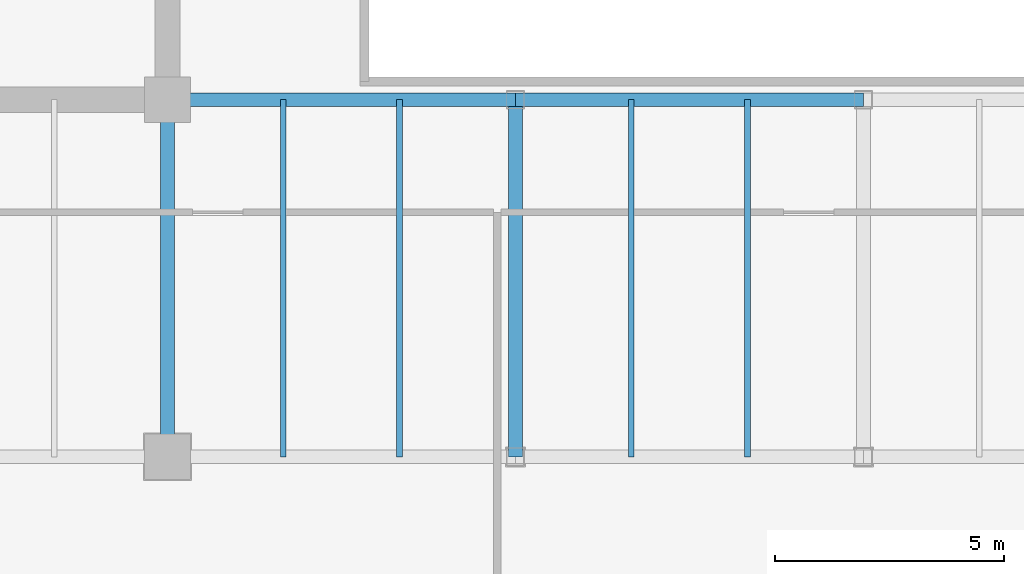
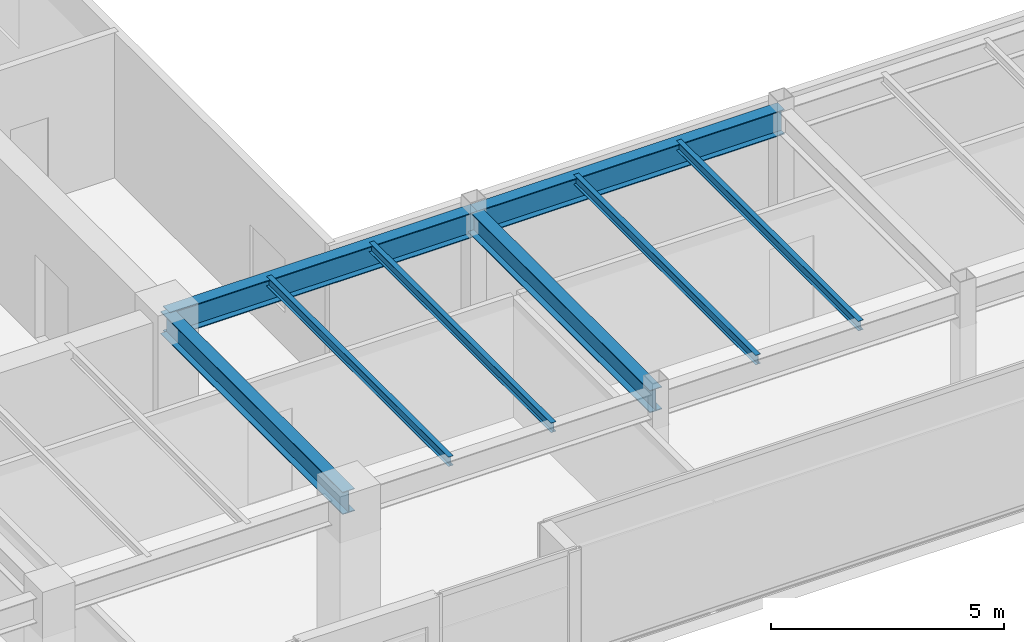
# One storey, part 7 of 35: 8 beams.
"""IFC4 building model written with IfcOpenShell, lengths in metres."""

from ifc_helpers import new_model, si_unit, direction, frame, origin, origin_2d, place, context, subcontext, project, spatial, i_section, extrude, source, transform, mapped, material, material_profile, profile_set, type_object, type_shapes, element, save


model = new_model("IFC4")

# Units and contexts
model_context = context("Model", 3, precision=1e-05, world=origin(), true_north=direction((0.0, 1.0)))
body_context = subcontext(model_context, "Body", "Model", "MODEL_VIEW")
ifc_project = project(units=[si_unit("LENGTHUNIT", "METRE"), si_unit("AREAUNIT", "SQUARE_METRE"), si_unit("VOLUMEUNIT", "CUBIC_METRE"), si_unit("PLANEANGLEUNIT", "RADIAN"), si_unit("MASSUNIT", "GRAM", prefix="KILO")], contexts=[model_context])

# Site, building, storey
site_placement = place(None, origin())
site = spatial("IfcSite", under=ifc_project, at=site_placement, CompositionType="ELEMENT")
building_placement = place(site_placement, origin())
building = spatial("IfcBuilding", under=site, at=building_placement, Name="Haelvirn Gate Laboratories", CompositionType="ELEMENT")
storey_placement = place(building_placement, frame((0.0, 0.0, 283.39990234375)))
storey = spatial("IfcBuildingStorey", under=building, at=storey_placement, Name="L68", CompositionType="ELEMENT", Elevation=283.39990234375)

# Beams
ifc_material = material(Name="Steel SM355", Category="steel")
ifc_material_profile_1 = material_profile(ifc_material, i_section(OverallWidth=0.300048828125, OverallDepth=0.587890625, WebThickness=0.011962890625, FlangeThickness=0.02001953125, at=origin_2d()), Name="H-588x300x12x20")
ifc_profile_set_1 = profile_set([ifc_material_profile_1], Name="Steel SM355")
beam_type_1 = type_object("IfcBeamType", Name="BM-G-588", PredefinedType="BEAM", material=ifc_profile_set_1)
shared_shape_1 = source(origin(), body_context, "Body", "SweptSolid", [
    extrude(i_section(OverallWidth=0.300048828125, OverallDepth=0.587890625, WebThickness=0.011962890625, FlangeThickness=0.02001953125, at=origin_2d()), origin(), (0.0, 0.0, 1.0), 7.800048828125),
])
type_shapes(beam_type_1, [shared_shape_1])
for number, where, z_axis, x_axis, name in (
    (1, (22.199951171875, 7.0, 3.506103515625), (0.0, 1.0, 0.0), (-1.0, 0.0, 0.0), "L68 Frame Girder X22.2 (7.0-14.8)"),
    (2, (29.800048828125, 7.0, 3.506103515625), (0.0, 1.0, 0.0), (-1.0, 0.0, 0.0), "L68 Frame Girder X29.8 (7.0-14.8)"),
):
    element("IfcBeam", number, at=place(storey_placement, frame(where, z_axis=z_axis, x_axis=x_axis)), inside=storey, type_object=beam_type_1, Name=name, PredefinedType="BEAM", context=body_context, shape_type="MappedRepresentation", body=[
        mapped(shared_shape_1, transform((0.0, 0.0, 0.0), scale=1.0)),
    ])
ifc_material_profile_2 = material_profile(ifc_material, i_section(OverallWidth=0.300048828125, OverallDepth=0.64990234375, WebThickness=0.012939453125, FlangeThickness=0.02197265625, at=origin_2d()), Name="H-650x300x13x22")
ifc_profile_set_2 = profile_set([ifc_material_profile_2], Name="Steel SM355")
beam_type_2 = type_object("IfcBeamType", Name="BM-G-650", PredefinedType="BEAM", material=ifc_profile_set_2)
shared_shape_2 = source(origin(), body_context, "Body", "SweptSolid", [
    extrude(i_section(OverallWidth=0.300048828125, OverallDepth=0.64990234375, WebThickness=0.012939453125, FlangeThickness=0.02197265625, at=origin_2d()), origin(), (0.0, 0.0, 1.0), 7.60009765625),
])
beam_1_placement = place(storey_placement, frame((22.199951171875, 14.800048828125, 3.47509765625), z_axis=(1.0, 0.0, 0.0), x_axis=(0.0, 1.0, 0.0)))
element("IfcBeam", 3, at=beam_1_placement, inside=storey, type_object=beam_type_2, Name="L68 Primary Girder Y14.8 (22.2-29.8)", PredefinedType="BEAM", context=body_context, shape_type="MappedRepresentation", body=[
    mapped(shared_shape_2, transform((0.0, 0.0, 0.0), scale=1.0)),
])
shared_shape_3 = source(origin(), body_context, "Body", "SweptSolid", [
    extrude(i_section(OverallWidth=0.300048828125, OverallDepth=0.64990234375, WebThickness=0.012939453125, FlangeThickness=0.02197265625, at=origin_2d()), origin(), (0.0, 0.0, 1.0), 7.599853515625),
])
type_shapes(beam_type_2, [shared_shape_2, shared_shape_3])
beam_2_placement = place(storey_placement, frame((29.800048828125, 14.800048828125, 3.47509765625), z_axis=(1.0, 0.0, 0.0), x_axis=(0.0, 1.0, 0.0)))
element("IfcBeam", 4, at=beam_2_placement, inside=storey, type_object=beam_type_2, Name="L68 Primary Girder Y14.8 (29.8-37.4)", PredefinedType="BEAM", context=body_context, shape_type="MappedRepresentation", body=[
    mapped(shared_shape_3, transform((0.0, 0.0, 0.0), scale=1.0)),
])
ifc_material_profile_3 = material_profile(ifc_material, i_section(OverallWidth=0.125, OverallDepth=0.25, WebThickness=0.006103515625, FlangeThickness=0.009033203125, at=origin_2d()), Name="H-250x125x6x9")
ifc_profile_set_3 = profile_set([ifc_material_profile_3], Name="Steel SM355")
beam_type_3 = type_object("IfcBeamType", Name="BM-J-250", PredefinedType="JOIST", material=ifc_profile_set_3)
shared_shape_4 = source(origin(), body_context, "Body", "SweptSolid", [
    extrude(i_section(OverallWidth=0.125, OverallDepth=0.25, WebThickness=0.006103515625, FlangeThickness=0.009033203125, at=origin_2d()), origin(), (0.0, 0.0, 1.0), 7.800048828125),
])
type_shapes(beam_type_3, [shared_shape_4])
for number, where, z_axis, x_axis, name in (
    (5, (24.72998046875, 7.0, 3.675048828125), (0.0, 1.0, 0.0), (-1.0, 0.0, 0.0), "L68 Composite Lab Joist South X24.73"),
    (6, (27.27001953125, 7.0, 3.675048828125), (0.0, 1.0, 0.0), (-1.0, 0.0, 0.0), "L68 Composite Lab Joist South X27.27"),
    (7, (32.330078125, 7.0, 3.675048828125), (0.0, 1.0, 0.0), (-1.0, 0.0, 0.0), "L68 Composite Lab Joist South X32.33"),
    (8, (34.8701171875, 7.0, 3.675048828125), (0.0, 1.0, 0.0), (-1.0, 0.0, 0.0), "L68 Composite Lab Joist South X34.87"),
):
    element("IfcBeam", number, at=place(storey_placement, frame(where, z_axis=z_axis, x_axis=x_axis)), inside=storey, type_object=beam_type_3, Name=name, PredefinedType="JOIST", context=body_context, shape_type="MappedRepresentation", body=[
        mapped(shared_shape_4, transform((0.0, 0.0, 0.0), scale=1.0)),
    ])

save(model, "model.ifc")
